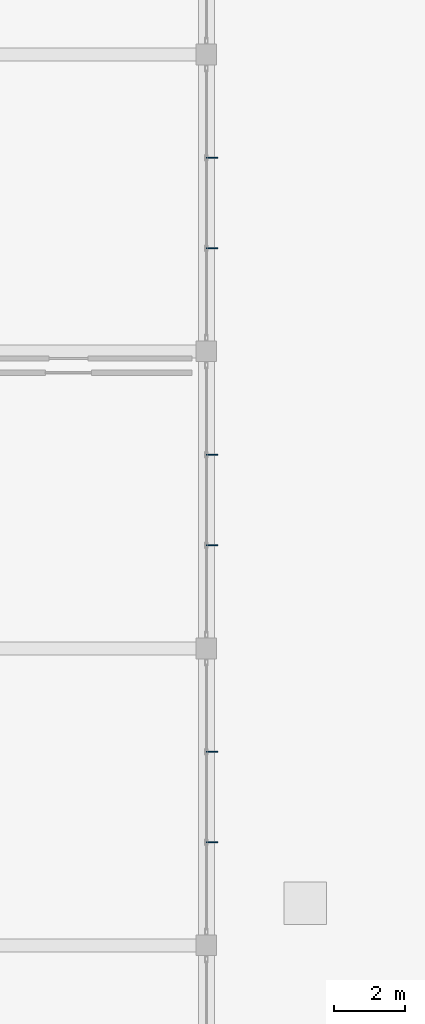
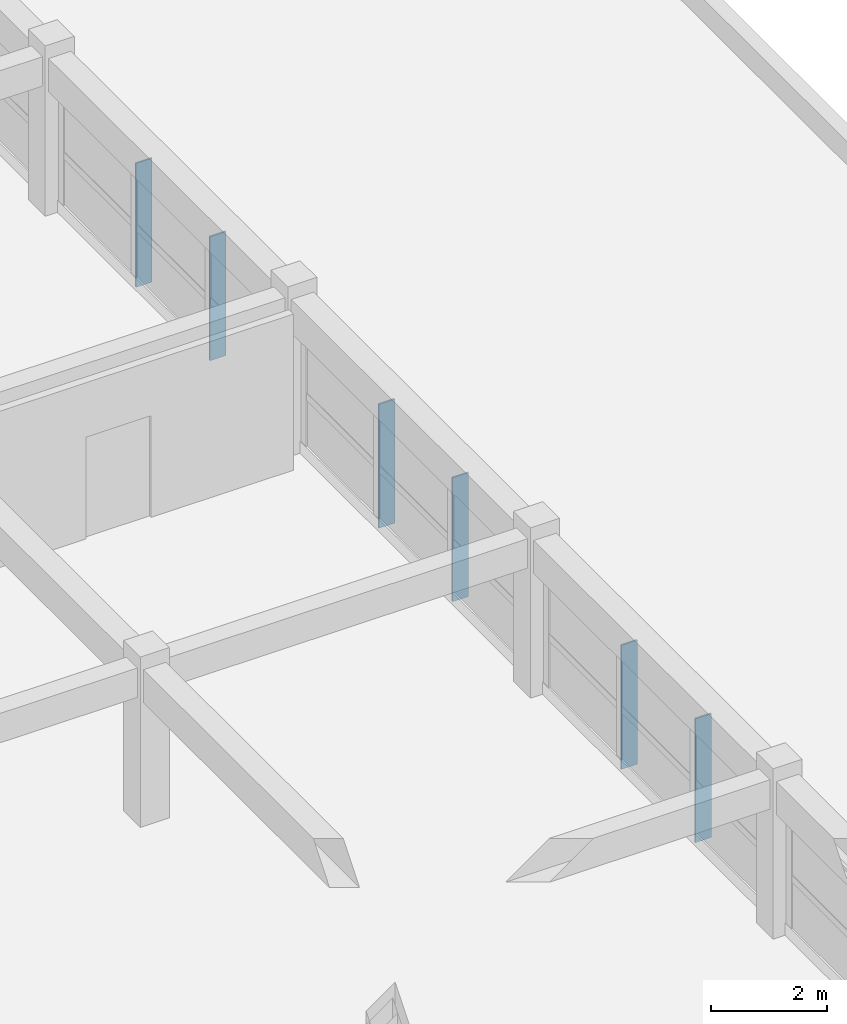
# One storey, part 85 of 101: 6 plates.
"""IFC4 building model written with IfcOpenShell, lengths in metres."""

from ifc_helpers import new_model, si_unit, direction, frame, origin, place, context, subcontext, project, spatial, polyline, outline, extrude, material, layer, layer_set, type_object, element, save


model = new_model("IFC4")

# Units and contexts
model_context = context("Model", 3, precision=1e-05, world=origin(), true_north=direction((0.0, 1.0)))
body_context = subcontext(model_context, "Body", "Model", "MODEL_VIEW")
ifc_project = project(units=[si_unit("LENGTHUNIT", "METRE"), si_unit("AREAUNIT", "SQUARE_METRE"), si_unit("VOLUMEUNIT", "CUBIC_METRE"), si_unit("PLANEANGLEUNIT", "RADIAN"), si_unit("MASSUNIT", "GRAM", prefix="KILO")], contexts=[model_context])

# Site, building, storey
site_placement = place(None, origin())
site = spatial("IfcSite", under=ifc_project, at=site_placement, CompositionType="ELEMENT")
building_placement = place(site_placement, origin())
building = spatial("IfcBuilding", under=site, at=building_placement, Name="Zizhar Promenade General Hospital", CompositionType="ELEMENT")
storey_placement = place(building_placement, frame((0.0, 0.0, 14.39990234375)))
storey = spatial("IfcBuildingStorey", under=building, at=storey_placement, Name="L03", CompositionType="ELEMENT", Elevation=14.39990234375)

# Plates
ifc_material = material(Name="Anodised aluminium 6063-T6", Category="aluminium")
ifc_layer = layer(ifc_material, 0.033935546875)
ifc_layer_set = layer_set([ifc_layer], Name="Anodised aluminium 6063-T6")
plate_type = type_object("IfcPlateType", Name="FIN-ALU-320", PredefinedType="USERDEFINED", material=ifc_layer_set)
plate_1_placement = place(storey_placement, origin())
element("IfcPlate", 1, at=plate_1_placement, inside=storey, type_object=plate_type, Name="L03 Clinic Pavilion East Glazing 7 Solar Fin 1", ObjectType="SOLAR_SHADE", PredefinedType="USERDEFINED", context=body_context, shape_type="SweptSolid", body=[
    extrude(outline(polyline([(187.199951171875, 64.297119140625), (187.199951171875, 64.262939453125), (187.52001953125, 64.262939453125), (187.52001953125, 64.297119140625), (187.199951171875, 64.297119140625)])), origin(), (0.0, 0.0, 1.0), 2.6201171875),
])
plate_2_placement = place(storey_placement, origin())
element("IfcPlate", 2, at=plate_2_placement, inside=storey, type_object=plate_type, Name="L03 Clinic Pavilion East Glazing 7 Solar Fin 2", ObjectType="SOLAR_SHADE", PredefinedType="USERDEFINED", context=body_context, shape_type="SweptSolid", body=[
    extrude(outline(polyline([(187.199951171875, 61.737060546875), (187.199951171875, 61.702880859375), (187.52001953125, 61.702880859375), (187.52001953125, 61.737060546875), (187.199951171875, 61.737060546875)])), origin(), (0.0, 0.0, 1.0), 2.6201171875),
])
plate_3_placement = place(storey_placement, origin())
element("IfcPlate", 3, at=plate_3_placement, inside=storey, type_object=plate_type, Name="L03 Clinic Pavilion East Glazing 8 Solar Fin 1", ObjectType="SOLAR_SHADE", PredefinedType="USERDEFINED", context=body_context, shape_type="SweptSolid", body=[
    extrude(outline(polyline([(187.199951171875, 72.697021484375), (187.199951171875, 72.6630859375), (187.52001953125, 72.6630859375), (187.52001953125, 72.697021484375), (187.199951171875, 72.697021484375)])), origin(), (0.0, 0.0, 1.0), 2.6201171875),
])
plate_4_placement = place(storey_placement, origin())
element("IfcPlate", 4, at=plate_4_placement, inside=storey, type_object=plate_type, Name="L03 Clinic Pavilion East Glazing 8 Solar Fin 2", ObjectType="SOLAR_SHADE", PredefinedType="USERDEFINED", context=body_context, shape_type="SweptSolid", body=[
    extrude(outline(polyline([(187.199951171875, 70.136962890625), (187.199951171875, 70.10302734375), (187.52001953125, 70.10302734375), (187.52001953125, 70.136962890625), (187.199951171875, 70.136962890625)])), origin(), (0.0, 0.0, 1.0), 2.6201171875),
])
plate_5_placement = place(storey_placement, origin())
element("IfcPlate", 5, at=plate_5_placement, inside=storey, type_object=plate_type, Name="L03 Clinic Pavilion East Glazing 9 Solar Fin 1", ObjectType="SOLAR_SHADE", PredefinedType="USERDEFINED", context=body_context, shape_type="SweptSolid", body=[
    extrude(outline(polyline([(187.199951171875, 81.096923828125), (187.199951171875, 81.06298828125), (187.52001953125, 81.06298828125), (187.52001953125, 81.096923828125), (187.199951171875, 81.096923828125)])), origin(), (0.0, 0.0, 1.0), 2.6201171875),
])
plate_6_placement = place(storey_placement, origin())
element("IfcPlate", 6, at=plate_6_placement, inside=storey, type_object=plate_type, Name="L03 Clinic Pavilion East Glazing 9 Solar Fin 2", ObjectType="SOLAR_SHADE", PredefinedType="USERDEFINED", context=body_context, shape_type="SweptSolid", body=[
    extrude(outline(polyline([(187.199951171875, 78.537109375), (187.199951171875, 78.5029296875), (187.52001953125, 78.5029296875), (187.52001953125, 78.537109375), (187.199951171875, 78.537109375)])), origin(), (0.0, 0.0, 1.0), 2.6201171875),
])

save(model, "model.ifc")
